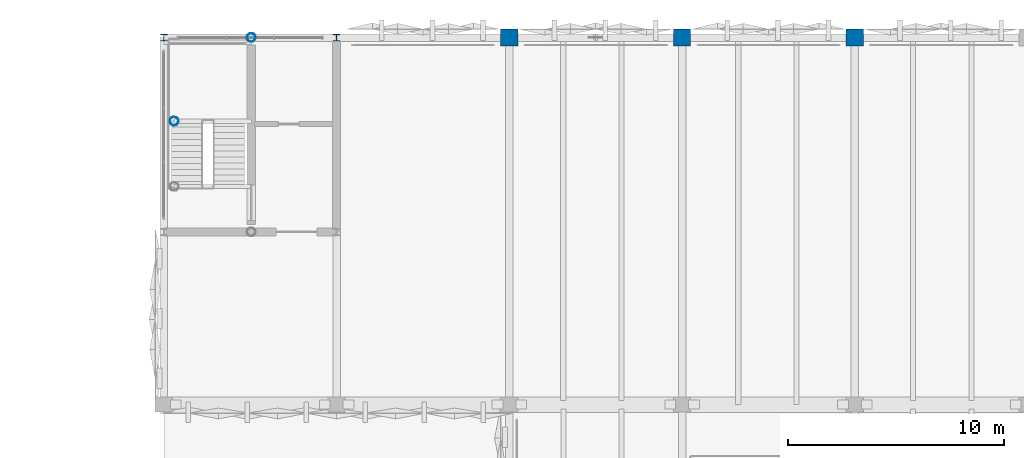
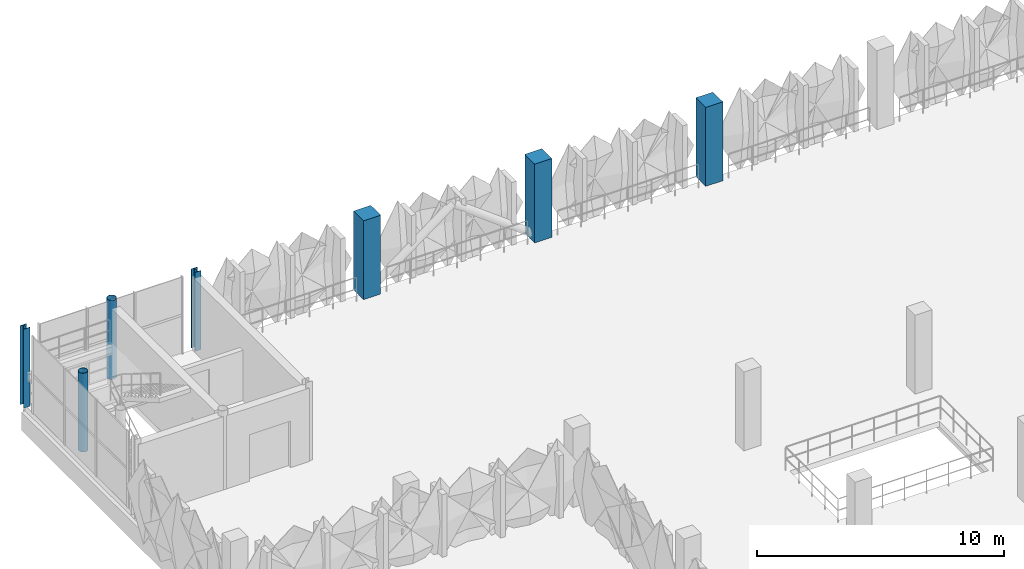
# One storey, part 7 of 96: 7 columns.
"""IFC4 building model written with IfcOpenShell, lengths in metres."""

from ifc_helpers import new_model, si_unit, derived_unit, direction, frame, origin, origin_2d, place, context, subcontext, project, spatial, rectangle, hollow_circle, i_section, extrude, material, material_profile, profile_set, type_object, element, save


model = new_model("IFC4")

# Units and contexts
model_context = context("Model", 3, precision=1e-05, world=origin(), true_north=direction((0.0, 1.0)))
body_context = subcontext(model_context, "Body", "Model", "MODEL_VIEW")
ifc_project = project(units=[si_unit("LENGTHUNIT", "METRE"), si_unit("AREAUNIT", "SQUARE_METRE"), si_unit("VOLUMEUNIT", "CUBIC_METRE"), si_unit("PLANEANGLEUNIT", "RADIAN"), si_unit("MASSUNIT", "GRAM", prefix="KILO"), si_unit("THERMODYNAMICTEMPERATUREUNIT", "KELVIN"), derived_unit("THERMALTRANSMITTANCEUNIT", [(si_unit("POWERUNIT", "WATT"), 1), (si_unit("AREAUNIT", "SQUARE_METRE"), -1), (si_unit("THERMODYNAMICTEMPERATUREUNIT", "KELVIN"), -1)])], contexts=[model_context])

# Site, building, storey
site_placement = place(None, origin())
site = spatial("IfcSite", under=ifc_project, at=site_placement, CompositionType="ELEMENT")
building_placement = place(site_placement, origin())
building = spatial("IfcBuilding", under=site, at=building_placement, Name="Haiyu Intermodal Mobility Hub", CompositionType="ELEMENT")
storey_placement = place(building_placement, frame((0.0, 0.0, 9.5)))
storey = spatial("IfcBuildingStorey", under=building, at=storey_placement, Name="L02", CompositionType="ELEMENT", Elevation=9.5)

# Columns
ifc_material_1 = material(Name="Precast concrete C40", Category="concrete")
ifc_material_profile_1 = material_profile(ifc_material_1, rectangle(XDim=0.800048828125, YDim=0.800048828125, at=origin_2d()), Name="RC800x800")
ifc_profile_set_1 = profile_set([ifc_material_profile_1], Name="Precast concrete C40")
column_type_1 = type_object("IfcColumnType", Name="COL-CC02-EXT", PredefinedType="COLUMN", material=ifc_profile_set_1)
for number, where, z_axis, x_axis, name in (
    (1, (38.0, 148.0, 0.0), (0.0, 0.0, 1.0), (1.0, 0.0, 0.0), "Column V4-4S L02"),
    (2, (46.0, 148.0, 0.0), (0.0, 0.0, 1.0), (1.0, 0.0, 0.0), "Column V4-5S L02"),
    (3, (54.0, 148.0, 0.0), (0.0, 0.0, 1.0), (1.0, 0.0, 0.0), "Column V4-6S L02"),
):
    element("IfcColumn", number, at=place(storey_placement, frame(where, z_axis=z_axis, x_axis=x_axis)), inside=storey, type_object=column_type_1, Name=name, PredefinedType="COLUMN", context=body_context, shape_type="SweptSolid", body=[
        extrude(rectangle(XDim=0.800048828125, YDim=0.800048828125, at=origin_2d()), origin(), (0.0, 0.0, 1.0), 3.89990234375),
    ])
ifc_material_2 = material(Name="Steel Q355C", Category="steel")
ifc_material_profile_2 = material_profile(ifc_material_2, hollow_circle(Radius=0.202880859375, WallThickness=0.013916015625, at=origin_2d()), Name="CHS406x14")
ifc_profile_set_2 = profile_set([ifc_material_profile_2], Name="Steel Q355C")
column_type_2 = type_object("IfcColumnType", Name="COL-SC03", PredefinedType="COLUMN", material=ifc_profile_set_2)
column_1_placement = place(storey_placement, frame((22.47998046875, 144.1298828125, 0.0), z_axis=(0.0, 0.0, 1.0), x_axis=(1.0, 0.0, 0.0)))
element("IfcColumn", 4, at=column_1_placement, inside=storey, type_object=column_type_2, Name="Column C3-WLP L02", PredefinedType="COLUMN", context=body_context, shape_type="SweptSolid", body=[
    extrude(hollow_circle(Radius=0.202880859375, WallThickness=0.013916015625, at=origin_2d()), origin(), (0.0, 0.0, 1.0), 3.89990234375),
])
ifc_material_profile_3 = material_profile(ifc_material_2, hollow_circle(Radius=0.202880859375, WallThickness=0.013916015625, at=origin_2d()), Name="CHS406x14")
ifc_profile_set_3 = profile_set([ifc_material_profile_3], Name="Steel Q355C")
column_type_3 = type_object("IfcColumnType", Name="COL-SC03-EXT", PredefinedType="COLUMN", material=ifc_profile_set_3)
column_2_placement = place(storey_placement, frame((26.050048828125, 148.0, 0.0), z_axis=(0.0, 0.0, 1.0), x_axis=(1.0, 0.0, 0.0)))
element("IfcColumn", 5, at=column_2_placement, inside=storey, type_object=column_type_3, Name="Column C3-MN L02", PredefinedType="COLUMN", context=body_context, shape_type="SweptSolid", body=[
    extrude(hollow_circle(Radius=0.202880859375, WallThickness=0.013916015625, at=origin_2d()), origin(), (0.0, 0.0, 1.0), 3.89990234375),
])
ifc_material_profile_4 = material_profile(ifc_material_2, i_section(OverallWidth=0.300048828125, OverallDepth=0.300048828125, WebThickness=0.010009765625, FlangeThickness=0.014892578125, FilletRadius=0.01806640625, at=origin_2d()), Name="HW300x300x10x15")
ifc_profile_set_4 = profile_set([ifc_material_profile_4], Name="Steel Q355C")
column_type_4 = type_object("IfcColumnType", Name="COL-SC07-EXT", PredefinedType="COLUMN", material=ifc_profile_set_4)
for number, where, z_axis, x_axis, name in (
    (6, (22.0, 148.0, 0.0), (0.0, 0.0, 1.0), (1.0, 0.0, 0.0), "Column C3-NW L02"),
    (7, (30.0, 148.0, 0.0), (0.0, 0.0, 1.0), (1.0, 0.0, 0.0), "Column C3-NE L02"),
):
    element("IfcColumn", number, at=place(storey_placement, frame(where, z_axis=z_axis, x_axis=x_axis)), inside=storey, type_object=column_type_4, Name=name, PredefinedType="COLUMN", context=body_context, shape_type="SweptSolid", body=[
        extrude(i_section(OverallWidth=0.300048828125, OverallDepth=0.300048828125, WebThickness=0.010009765625, FlangeThickness=0.014892578125, FilletRadius=0.01806640625, at=origin_2d()), origin(), (0.0, 0.0, 1.0), 3.89990234375),
    ])

save(model, "model.ifc")
